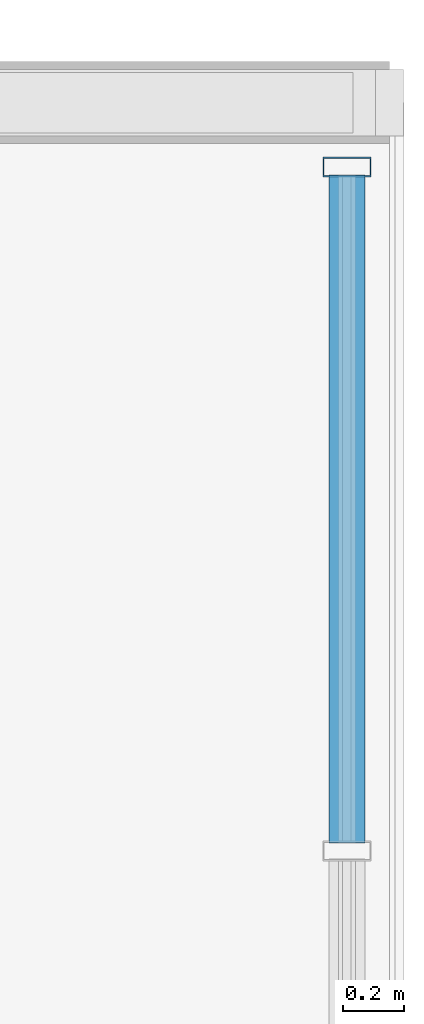
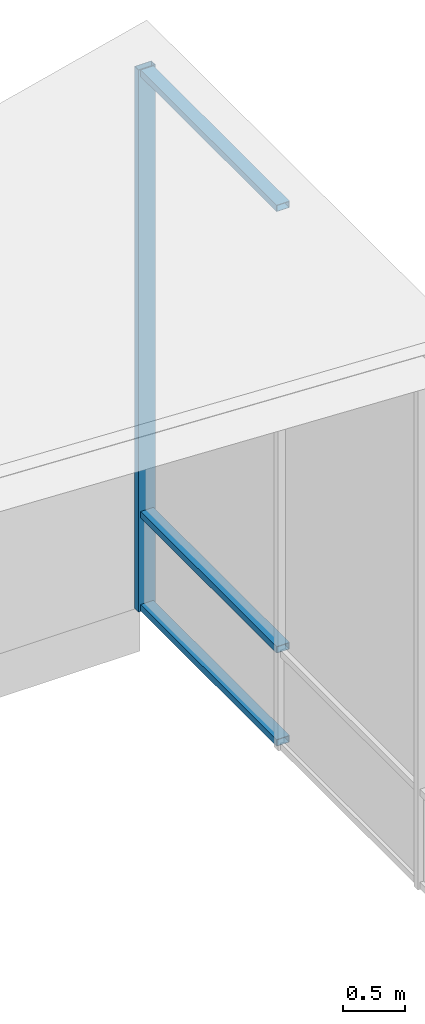
# One storey, part 32 of 57: 4 members, 1 element without a shape of its own.
"""IFC4 building model written with IfcOpenShell, lengths in metres."""

from ifc_helpers import new_model, si_unit, direction, frame, origin, origin_2d, place, context, subcontext, project, spatial, hollow_rectangle, extrude, material, material_profile, profile_set, type_object, element, aggregate, save


model = new_model("IFC4")

# Units and contexts
model_context = context("Model", 3, precision=1e-05, world=origin(), true_north=direction((0.0, 1.0)))
body_context = subcontext(model_context, "Body", "Model", "MODEL_VIEW")
ifc_project = project(units=[si_unit("LENGTHUNIT", "METRE"), si_unit("AREAUNIT", "SQUARE_METRE"), si_unit("VOLUMEUNIT", "CUBIC_METRE"), si_unit("PLANEANGLEUNIT", "RADIAN"), si_unit("MASSUNIT", "GRAM", prefix="KILO")], contexts=[model_context])

# Site, building, storey
site_placement = place(None, origin())
site = spatial("IfcSite", under=ifc_project, at=site_placement, CompositionType="ELEMENT")
building_placement = place(site_placement, origin())
building = spatial("IfcBuilding", under=site, at=building_placement, Name="Hawrajan Terrace Health Centre", CompositionType="ELEMENT")
storey_placement = place(building_placement, frame((0.0, 0.0, 13.199951171875)))
storey = spatial("IfcBuildingStorey", under=building, at=storey_placement, Name="L03", CompositionType="ELEMENT", Elevation=13.199951171875)

# Curtain wall, members
ifc_material_1 = material(Name="Anodized bronze aluminium and low-E solar glazing", Category="aluminium")
curtain_wall_type = type_object("IfcCurtainWallType", Name="CW_Pavilion_SeriesE1", PredefinedType="USERDEFINED", material=ifc_material_1)
curtain_wall_placement = place(storey_placement, origin())
curtain_wall = element("IfcCurtainWall", 1, at=curtain_wall_placement, inside=storey, type_object=curtain_wall_type, Name="Curtain wall CW-L03-V6E-189", ObjectType="UNITISED CURTAIN WALL", PredefinedType="USERDEFINED")
ifc_material_2 = material(Name="Anodized bronze aluminium 6063-T6", Category="aluminium")
ifc_material_profile_1 = material_profile(ifc_material_2, hollow_rectangle(XDim=0.06494140625, YDim=0.159912109375, WallThickness=0.00390625, at=origin_2d()), Name="CW MUL 65x160")
ifc_profile_set_1 = profile_set([ifc_material_profile_1], Name="Anodized bronze aluminium 6063-T6")
member_type_1 = type_object("IfcMemberType", Name="CWMullion_65x160", PredefinedType="MULLION", material=ifc_profile_set_1)
member_1_placement = place(storey_placement, frame((165.260009765625, 52.387451171875, -0.155029296875), z_axis=(0.0, 0.0, 1.0), x_axis=(0.0, 1.0, 0.0)))
member_1 = element("IfcMember", 2, at=member_1_placement, type_object=member_type_1, Name="Mullion CW-L03-V6E-189-M4", PredefinedType="MULLION", context=body_context, shape_type="SweptSolid", body=[
    extrude(hollow_rectangle(XDim=0.06494140625, YDim=0.159912109375, WallThickness=0.00390625, at=origin_2d()), origin(), (0.0, 0.0, 1.0), 5.345458984375),
])
ifc_material_profile_2 = material_profile(ifc_material_2, hollow_rectangle(XDim=0.06494140625, YDim=0.1201171875, WallThickness=0.00341796875, at=origin_2d()), Name="CW TRN 65x120")
ifc_profile_set_2 = profile_set([ifc_material_profile_2], Name="Anodized bronze aluminium 6063-T6")
member_type_2 = type_object("IfcMemberType", Name="CWTransom_65x120", PredefinedType="USERDEFINED", material=ifc_profile_set_2)
member_2_placement = place(storey_placement, frame((165.260009765625, 50.15576171875, -0.117431640625), z_axis=(0.0, 1.0, 0.0), x_axis=(0.0, 0.0, 1.0)))
member_2 = element("IfcMember", 3, at=member_2_placement, type_object=member_type_2, Name="Transom CW-L03-V6E-189-T3-1", ObjectType="TRANSOM", PredefinedType="USERDEFINED", context=body_context, shape_type="SweptSolid", body=[
    extrude(hollow_rectangle(XDim=0.06494140625, YDim=0.1201171875, WallThickness=0.00341796875, at=origin_2d()), origin(), (0.0, 0.0, 1.0), 2.205322265625),
])
member_3_placement = place(storey_placement, frame((165.260009765625, 50.15576171875, 0.800048828125), z_axis=(0.0, 1.0, 0.0), x_axis=(0.0, 0.0, 1.0)))
member_3 = element("IfcMember", 4, at=member_3_placement, type_object=member_type_2, Name="Transom CW-L03-V6E-189-T3-2", ObjectType="TRANSOM", PredefinedType="USERDEFINED", context=body_context, shape_type="SweptSolid", body=[
    extrude(hollow_rectangle(XDim=0.06494140625, YDim=0.1201171875, WallThickness=0.00341796875, at=origin_2d()), origin(), (0.0, 0.0, 1.0), 2.205322265625),
])
member_4_placement = place(storey_placement, frame((165.260009765625, 50.15576171875, 5.153076171875), z_axis=(0.0, 1.0, 0.0), x_axis=(0.0, 0.0, 1.0)))
member_4 = element("IfcMember", 5, at=member_4_placement, type_object=member_type_2, Name="Transom CW-L03-V6E-189-T3-3", ObjectType="TRANSOM", PredefinedType="USERDEFINED", context=body_context, shape_type="SweptSolid", body=[
    extrude(hollow_rectangle(XDim=0.06494140625, YDim=0.1201171875, WallThickness=0.00341796875, at=origin_2d()), origin(), (0.0, 0.0, 1.0), 2.205322265625),
])
aggregate(curtain_wall, [member_1, member_2, member_3, member_4])

save(model, "model.ifc")
